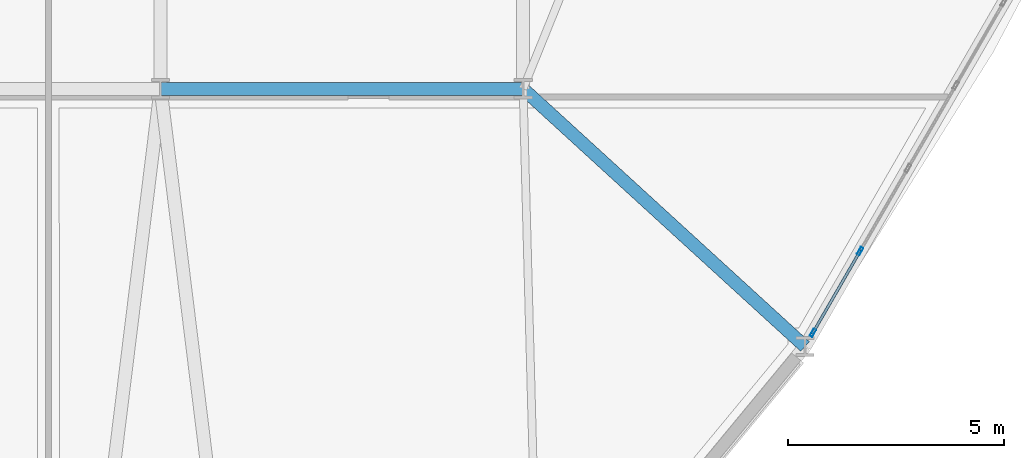
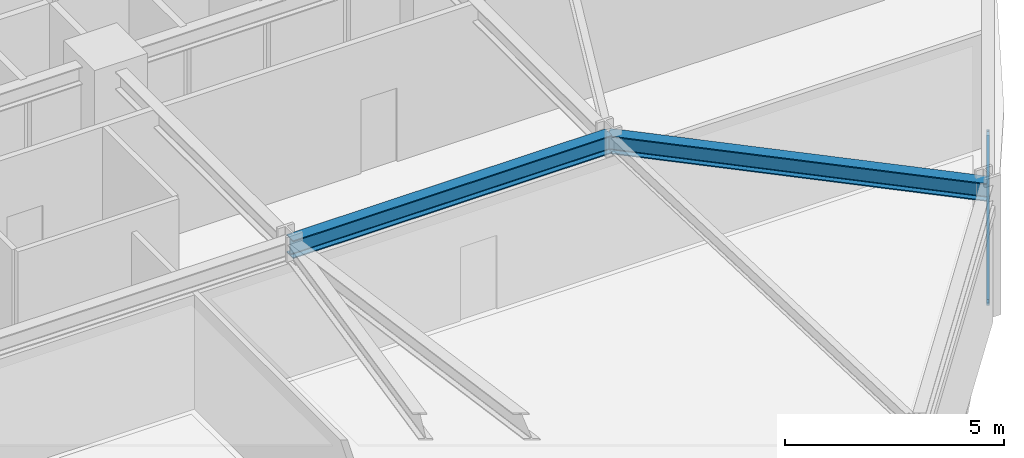
# One storey, part 6 of 21: 5 members, 2 beams, 1 element without a shape of its own.
"""IFC4 building model written with IfcOpenShell, lengths in metres."""

import ifcopenshell
import ifcopenshell.guid

model = None  # the IFC model being written
_history = None  # IfcOwnerHistory: only IFC2X3 demands one
_inside = {}  # id of a spatial element -> (the spatial element, [elements in it])
_under = {}  # id of a project, library or spatial element -> (it, [spatial elements below it])
_declared = {}  # id of a project -> (the project, [libraries it declares])
_typed = {}  # id of a type object -> (the type object, [elements of that type])
_made_of = {}  # id of a material, layer set ... -> (it, [elements and type objects made of it])


def new_model(schema):
    """Start an empty IFC model of exactly this schema.

    Asked for "IFC4X3", IfcOpenShell would pick the latest addendum, in which some entities
    have other attributes; the version numbers below select the first issue.
    IFC2X3 requires an IfcOwnerHistory on every rooted entity: one is made here for all.
    """
    global model, _history
    if schema == "IFC4X3":
        model = ifcopenshell.file(schema_version=(4, 3, 0, 0))
    else:
        model = ifcopenshell.file(schema=schema)
    _inside.clear()
    _under.clear()
    _declared.clear()
    _typed.clear()
    _made_of.clear()
    _history = None
    if model.schema == "IFC2X3":
        org = make("IfcOrganization", Name="unknown")
        user = make(
            "IfcPersonAndOrganization",
            ThePerson=make("IfcPerson", FamilyName="unknown"),
            TheOrganization=org,
        )
        app = make(
            "IfcApplication",
            ApplicationDeveloper=org,
            Version="unknown",
            ApplicationFullName="unknown",
            ApplicationIdentifier="unknown",
        )
        _history = make(
            "IfcOwnerHistory",
            OwningUser=user,
            OwningApplication=app,
            ChangeAction="ADDED",
            CreationDate=0,
        )
    return model


def make(cls, **values):
    """One entity of the class cls with the attributes given. An attribute that is None is left unset."""
    return model.create_entity(
        cls, **{name: value for name, value in values.items() if value is not None}
    )


def rooted(cls, **values):
    """An entity with a GlobalId (a new one), such as an element, a storey or a relation."""
    return make(cls, GlobalId=ifcopenshell.guid.new(), OwnerHistory=_history, **values)


def si_unit(unit_type, name, prefix=None):
    """IfcSIUnit, for example si_unit("LENGTHUNIT", "METRE", prefix="MILLI")."""
    return make("IfcSIUnit", UnitType=unit_type, Prefix=prefix, Name=name)


def derived_unit(unit_type, elements):
    """IfcDerivedUnit: a product of units, each with its exponent."""
    return make(
        "IfcDerivedUnit",
        Elements=[
            make("IfcDerivedUnitElement", Unit=unit, Exponent=power)
            for unit, power in elements
        ],
        UnitType=unit_type,
    )


def assignment(units):
    """IfcUnitAssignment: the units of a project."""
    return None if units is None else make("IfcUnitAssignment", Units=units)


def point(xyz):
    """IfcCartesianPoint."""
    return None if xyz is None else make("IfcCartesianPoint", Coordinates=xyz)


def direction(xyz):
    """IfcDirection."""
    return None if xyz is None else make("IfcDirection", DirectionRatios=xyz)


def frame(location, z_axis=None, x_axis=None):
    """IfcAxis2Placement3D, a coordinate frame: its origin and axes. An axis left out is left unset."""
    return make(
        "IfcAxis2Placement3D",
        Location=point(location),
        Axis=direction(z_axis),
        RefDirection=direction(x_axis),
    )


def frame_2d(location, x_axis=None):
    """IfcAxis2Placement2D, a coordinate frame in the plane: its origin and x axis."""
    return make(
        "IfcAxis2Placement2D", Location=point(location), RefDirection=direction(x_axis)
    )


def origin():
    """The frame at (0, 0, 0) with its axes left unset."""
    return frame((0.0, 0.0, 0.0))


def origin_2d():
    """The frame at (0, 0) in the plane with its x axis left unset."""
    return frame_2d((0.0, 0.0))


def place(relative_to, where):
    """IfcLocalPlacement: puts the frame where relative to a parent placement (None: the world)."""
    return make(
        "IfcLocalPlacement", PlacementRelTo=relative_to, RelativePlacement=where
    )


def context(
    kind, dimensions, precision=None, world=None, true_north=None, identifier=None
):
    """IfcGeometricRepresentationContext, for example the 3D "Model" context."""
    return make(
        "IfcGeometricRepresentationContext",
        ContextIdentifier=identifier,
        ContextType=kind,
        CoordinateSpaceDimension=dimensions,
        Precision=precision,
        WorldCoordinateSystem=world,
        TrueNorth=true_north,
    )


def subcontext(parent, identifier, kind, view, scale=None):
    """IfcGeometricRepresentationSubContext, for example "Body" below "Model"."""
    return make(
        "IfcGeometricRepresentationSubContext",
        ContextIdentifier=identifier,
        ContextType=kind,
        ParentContext=parent,
        TargetScale=scale,
        TargetView=view,
    )


def project(units=None, contexts=None):
    """IfcProject with its units and contexts."""
    return rooted(
        "IfcProject",
        Name="project",
        RepresentationContexts=contexts,
        UnitsInContext=assignment(units),
    )


def spatial(cls, under=None, at=None, **own):
    """A site, building, storey or space (cls), placed at a placement, below another one or the project."""
    s = rooted(cls, ObjectPlacement=at, **own)
    if under is not None:
        _under.setdefault(under.id(), (under, []))[1].append(s)
    return s


def profile(cls, at=None, kind="AREA", **sizes):
    """A parametric profile (cls). Its sizes go by their IFC names, for example OverallWidth=200.0."""
    return make(cls, ProfileType=kind, Position=at, **sizes)


def hollow_rectangle(**sizes):
    """IfcRectangleHollowProfileDef."""
    return profile("IfcRectangleHollowProfileDef", **sizes)


def i_section(**sizes):
    """IfcIShapeProfileDef."""
    return profile("IfcIShapeProfileDef", **sizes)


def extrude(swept, where, along, depth):
    """IfcExtrudedAreaSolid: the profile swept, set in the frame where, extruded along a direction by depth."""
    return make(
        "IfcExtrudedAreaSolid",
        SweptArea=swept,
        Position=where,
        ExtrudedDirection=direction(along),
        Depth=depth,
    )


def shape(context_of_items, identifier, shape_type, items):
    """IfcShapeRepresentation: the items that make up one representation, for example the "Body"."""
    return make(
        "IfcShapeRepresentation",
        ContextOfItems=context_of_items,
        RepresentationIdentifier=identifier,
        RepresentationType=shape_type,
        Items=items,
    )


def source(mapping_origin, context_of_items, identifier, shape_type, items):
    """IfcRepresentationMap: a shape defined once, which mapped items show again and again."""
    return make(
        "IfcRepresentationMap",
        MappingOrigin=mapping_origin,
        MappedRepresentation=shape(context_of_items, identifier, shape_type, items),
    )


def transform(
    local_origin,
    x_axis=None,
    y_axis=None,
    z_axis=None,
    scale=None,
    scale2=None,
    scale3=None,
    uniform=True,
):
    """IfcCartesianTransformationOperator3D, or its non-uniform kind. x_axis, y_axis, z_axis: its Axis1, 2, 3."""
    if uniform:
        return make(
            "IfcCartesianTransformationOperator3D",
            Axis1=direction(x_axis),
            Axis2=direction(y_axis),
            LocalOrigin=point(local_origin),
            Scale=scale,
            Axis3=direction(z_axis),
        )
    return make(
        "IfcCartesianTransformationOperator3DnonUniform",
        Axis1=direction(x_axis),
        Axis2=direction(y_axis),
        LocalOrigin=point(local_origin),
        Scale=scale,
        Axis3=direction(z_axis),
        Scale2=scale2,
        Scale3=scale3,
    )


def mapped(mapping_source, mapping_target):
    """IfcMappedItem: shows the shape of a source again, moved by a transform."""
    return make(
        "IfcMappedItem", MappingSource=mapping_source, MappingTarget=mapping_target
    )


def material(Name=None, Category=None):
    """IfcMaterial."""
    return make("IfcMaterial", Name=Name, Category=Category)


def layer(
    of_material, thickness, ventilated=None, Name=None, Category=None, Priority=None
):
    """IfcMaterialLayer: one layer of a wall or slab, of a material (None: an air gap)."""
    return make(
        "IfcMaterialLayer",
        Material=of_material,
        LayerThickness=thickness,
        IsVentilated=ventilated,
        Name=Name,
        Category=Category,
        Priority=Priority,
    )


def layer_set(layers, Name=None):
    """IfcMaterialLayerSet."""
    return make("IfcMaterialLayerSet", MaterialLayers=layers, LayerSetName=Name)


def material_profile(
    of_material, cross_section, Name=None, Category=None, Priority=None
):
    """IfcMaterialProfile: a cross section and its material."""
    return make(
        "IfcMaterialProfile",
        Name=Name,
        Material=of_material,
        Profile=cross_section,
        Priority=Priority,
        Category=Category,
    )


def profile_set(profiles, Name=None, composite=None):
    """IfcMaterialProfileSet."""
    return make(
        "IfcMaterialProfileSet",
        Name=Name,
        MaterialProfiles=profiles,
        CompositeProfile=composite,
    )


def made_of(thing, what):
    """Note that an element or type object is made of a material, layer set ...; save() writes the relation."""
    if what is not None:
        _made_of.setdefault(what.id(), (what, []))[1].append(thing)
    return thing


def type_object(cls, material=None, **own):
    """A type object (cls), such as IfcWallType, which elements share."""
    return made_of(rooted(cls, **own), material)


def element(
    cls,
    number,
    at=None,
    inside=None,
    cuts=None,
    type_object=None,
    material=None,
    context=None,
    identifier="Body",
    shape_type=None,
    held_by="IfcProductDefinitionShape",
    body=None,
    shapes=None,
    **own,
):
    """One element of the class cls, such as IfcWall. Its Tag is "e" and its number.

    at: its placement. inside: the storey or other place that contains it. cuts: it is an
    opening in that element (IfcRelVoidsElement). A single representation is given by context,
    identifier, shape_type and body (its items); several are given by shapes. held_by: the class
    of the entity that holds the representations. save() writes the other relations.
    """
    e = rooted(cls, Tag="e%d" % number, ObjectPlacement=at, **own)
    if body is not None:
        shapes = [shape(context, identifier, shape_type, body)]
    if shapes is not None:
        e.Representation = make(held_by, Representations=shapes)
    if inside is not None:
        _inside.setdefault(inside.id(), (inside, []))[1].append(e)
    if cuts is not None:
        rooted(
            "IfcRelVoidsElement", RelatingBuildingElement=cuts, RelatedOpeningElement=e
        )
    if type_object is not None:
        _typed.setdefault(type_object.id(), (type_object, []))[1].append(e)
    return made_of(e, material)


def aggregate(whole, parts):
    """IfcRelAggregates: a whole, such as a stair, and the parts it consists of."""
    return rooted("IfcRelAggregates", RelatingObject=whole, RelatedObjects=parts)


def save(model, path):
    """Write the relations noted so far, then the file.

    IfcRelAggregates (storeys below a building ...), IfcRelContainedInSpatialStructure (elements
    in a storey), IfcRelDefinesByType, IfcRelAssociatesMaterial and IfcRelDeclares: one each for
    every whole, place, type object, material and project.
    """
    for whole, parts in _under.values():
        aggregate(whole, parts)
    for where, things in _inside.values():
        rooted(
            "IfcRelContainedInSpatialStructure",
            RelatedElements=things,
            RelatingStructure=where,
        )
    for kind, things in _typed.values():
        rooted("IfcRelDefinesByType", RelatedObjects=things, RelatingType=kind)
    for what, things in _made_of.values():
        rooted("IfcRelAssociatesMaterial", RelatedObjects=things, RelatingMaterial=what)
    for by, libraries in _declared.values():
        rooted("IfcRelDeclares", RelatingContext=by, RelatedDefinitions=libraries)
    model.write(path)


model = new_model("IFC4")

# Units and contexts
model_context = context("Model", 3, precision=1e-05, world=origin(), true_north=direction((0.0, 1.0)))
body_context = subcontext(model_context, "Body", "Model", "MODEL_VIEW")
ifc_project = project(units=[si_unit("LENGTHUNIT", "METRE"), si_unit("AREAUNIT", "SQUARE_METRE"), si_unit("VOLUMEUNIT", "CUBIC_METRE"), si_unit("PLANEANGLEUNIT", "RADIAN"), si_unit("MASSUNIT", "GRAM", prefix="KILO"), derived_unit("THERMALTRANSMITTANCEUNIT", [(si_unit("POWERUNIT", "WATT"), 1), (si_unit("LENGTHUNIT", "METRE"), -2), (si_unit("THERMODYNAMICTEMPERATUREUNIT", "KELVIN"), -1)])], contexts=[model_context])

# Site, building, storey
site_placement = place(None, origin())
site = spatial("IfcSite", under=ifc_project, at=site_placement, CompositionType="ELEMENT")
building_placement = place(site_placement, origin())
building = spatial("IfcBuilding", under=site, at=building_placement, Name="Korsvarv Bourse and Concert Hall", CompositionType="ELEMENT")
storey_placement = place(building_placement, frame((0.0, 0.0, 27.89990234375)))
storey = spatial("IfcBuildingStorey", under=building, at=storey_placement, Name="L06", CompositionType="ELEMENT", Elevation=27.89990234375)

# Beams
ifc_material_1 = material(Name="Steel S355", Category="steel")
ifc_material_profile_1 = material_profile(ifc_material_1, i_section(OverallWidth=0.300048828125, OverallDepth=0.5, WebThickness=0.014404296875, FlangeThickness=0.028076171875, FilletRadius=0.02392578125, at=origin_2d()), Name="HEB 500")
ifc_profile_set_1 = profile_set([ifc_material_profile_1], Name="Steel S355")
beam_type = type_object("IfcBeamType", Name="BM-HEB500", PredefinedType="BEAM", material=ifc_profile_set_1)
shared_shape_1 = source(origin(), body_context, "Body", "SweptSolid", [
    extrude(i_section(OverallWidth=0.300048828125, OverallDepth=0.5, WebThickness=0.014404296875, FlangeThickness=0.028076171875, FilletRadius=0.02392578125, at=origin_2d()), origin(), (0.0, 0.0, 1.0), 8.39990234375),
])
beam_1_placement = place(storey_placement, frame((36.0, 24.0, 3.43017578125), z_axis=(1.0, 0.0, 0.0), x_axis=(0.0, 1.0, 0.0)))
element("IfcBeam", 1, at=beam_1_placement, inside=storey, type_object=beam_type, Name="L06 beam B-07", PredefinedType="BEAM", context=body_context, shape_type="MappedRepresentation", body=[
    mapped(shared_shape_1, transform((0.0, 0.0, 0.0), scale=1.0)),
])
shared_shape_2 = source(origin(), body_context, "Body", "SweptSolid", [
    extrude(i_section(OverallWidth=0.300048828125, OverallDepth=0.5, WebThickness=0.014404296875, FlangeThickness=0.028076171875, FilletRadius=0.02392578125, at=origin_2d()), origin(), (0.0, 0.0, 1.0), 8.85009765625),
])
beam_2_placement = place(storey_placement, frame((50.93212890625, 18.02880859375, 3.43017578125), z_axis=(-0.738092395249, 0.674699648789, 0.0), x_axis=(-0.674699648789, -0.738092395249, 0.0)))
element("IfcBeam", 2, at=beam_2_placement, inside=storey, type_object=beam_type, Name="L06 beam B-07", PredefinedType="BEAM", context=body_context, shape_type="MappedRepresentation", body=[
    mapped(shared_shape_2, transform((0.0, 0.0, 0.0), scale=1.0)),
])

# Curtain wall, members
ifc_material_2 = material(Name="Anodised aluminium and triple low-E glazing", Category="glass")
ifc_layer = layer(ifc_material_2, 0.219970703125)
ifc_layer_set = layer_set([ifc_layer], Name="Anodised aluminium and triple low-E glazing")
curtain_wall_type = type_object("IfcCurtainWallType", Name="CW-SYS-1", PredefinedType="NOTDEFINED", material=ifc_layer_set)
curtain_wall_placement = place(storey_placement, origin())
curtain_wall = element("IfcCurtainWall", 3, at=curtain_wall_placement, inside=storey, type_object=curtain_wall_type, Name="L06 CW1 curtain wall CW-L06-F11", PredefinedType="NOTDEFINED")
ifc_material_3 = material(Name="Extruded aluminium EN AW-6063 T66", Category="aluminium")
ifc_material_profile_2 = material_profile(ifc_material_3, hollow_rectangle(XDim=0.070068359375, YDim=0.18994140625, WallThickness=0.0048828125, at=origin_2d()), Name="ALU-M 70x190")
ifc_profile_set_2 = profile_set([ifc_material_profile_2], Name="Extruded aluminium EN AW-6063 T66")
member_type_1 = type_object("IfcMemberType", Name="CWM-190", PredefinedType="MULLION", material=ifc_profile_set_2)
shared_shape_3 = source(origin(), body_context, "Body", "SweptSolid", [
    extrude(hollow_rectangle(XDim=0.070068359375, YDim=0.18994140625, WallThickness=0.0048828125, at=origin_2d()), origin(), (0.0, 0.0, 1.0), 3.22998046875),
])
member_1_placement = place(storey_placement, frame((51.115234375, 18.34619140625, 0.0), z_axis=(0.0, 0.0, 1.0), x_axis=(-0.866028517121, 0.499994607504, 0.0)))
member_1 = element("IfcMember", 4, at=member_1_placement, type_object=member_type_1, Name="CW1 mullion 1", PredefinedType="MULLION", context=body_context, shape_type="MappedRepresentation", body=[
    mapped(shared_shape_3, transform((0.0, 0.0, 0.0), scale=1.0)),
])
member_2_placement = place(storey_placement, frame((52.207275390625, 20.2373046875, 0.0), z_axis=(0.0, 0.0, 1.0), x_axis=(-0.866028517121, 0.499994607504, 0.0)))
member_2 = element("IfcMember", 5, at=member_2_placement, type_object=member_type_1, Name="CW1 mullion 2", PredefinedType="MULLION", context=body_context, shape_type="MappedRepresentation", body=[
    mapped(shared_shape_3, transform((0.0, 0.0, 0.0), scale=1.0)),
])
ifc_material_profile_3 = material_profile(ifc_material_3, hollow_rectangle(XDim=0.06494140625, YDim=0.139892578125, WallThickness=0.00390625, at=origin_2d()), Name="ALU-T 65x140")
ifc_profile_set_3 = profile_set([ifc_material_profile_3], Name="Extruded aluminium EN AW-6063 T66")
member_type_2 = type_object("IfcMemberType", Name="CWT-140", PredefinedType="USERDEFINED", material=ifc_profile_set_3)
shared_shape_4 = source(origin(), body_context, "Body", "SweptSolid", [
    extrude(hollow_rectangle(XDim=0.06494140625, YDim=0.139892578125, WallThickness=0.00390625, at=origin_2d()), origin(), (0.0, 0.0, 1.0), 2.11376953125),
])
member_3_placement = place(storey_placement, frame((51.1328125, 18.37646484375, 0.03271484375), z_axis=(0.500002397932, 0.866024019333, 0.0), x_axis=(-0.866024019333, 0.500002397932, 0.0)))
member_3 = element("IfcMember", 6, at=member_3_placement, type_object=member_type_2, Name="CW1 transom 1.1", ObjectType="TRANSOM", PredefinedType="USERDEFINED", context=body_context, shape_type="MappedRepresentation", body=[
    mapped(shared_shape_4, transform((0.0, 0.0, 0.0), scale=1.0)),
])
member_4_placement = place(storey_placement, frame((51.1328125, 18.37646484375, 3.197509765625), z_axis=(0.500002397932, 0.866024019333, 0.0), x_axis=(-0.866024019333, 0.500002397932, 0.0)))
member_4 = element("IfcMember", 7, at=member_4_placement, type_object=member_type_2, Name="CW1 transom 1.2", ObjectType="TRANSOM", PredefinedType="USERDEFINED", context=body_context, shape_type="MappedRepresentation", body=[
    mapped(shared_shape_4, transform((0.0, 0.0, 0.0), scale=1.0)),
])
ifc_material_profile_4 = material_profile(ifc_material_3, hollow_rectangle(XDim=0.06494140625, YDim=0.1650390625, WallThickness=0.0048828125, at=origin_2d()), Name="ALU-M 65x165")
ifc_profile_set_4 = profile_set([ifc_material_profile_4], Name="Extruded aluminium EN AW-6063 T66")
member_type_3 = type_object("IfcMemberType", Name="CWM-165", PredefinedType="MULLION", material=ifc_profile_set_4)
shared_shape_5 = source(origin(), body_context, "Body", "SweptSolid", [
    extrude(hollow_rectangle(XDim=0.06494140625, YDim=0.1650390625, WallThickness=0.0048828125, at=origin_2d()), origin(), (0.0, 0.0, 1.0), 3.751953125),
])
member_5_placement = place(storey_placement, frame((51.1328125, 18.37646484375, 0.065185546875), z_axis=(0.281690041373, 0.487898343779, 0.826199689378), x_axis=(-0.866024019333, 0.500002397932, 0.0)))
member_5 = element("IfcMember", 8, at=member_5_placement, type_object=member_type_3, Name="CW1 diagonal mullion 1", PredefinedType="MULLION", context=body_context, shape_type="MappedRepresentation", body=[
    mapped(shared_shape_5, transform((0.0, 0.0, 0.0), scale=1.0)),
])
aggregate(curtain_wall, [member_1, member_2, member_3, member_4, member_5])

save(model, "model.ifc")
